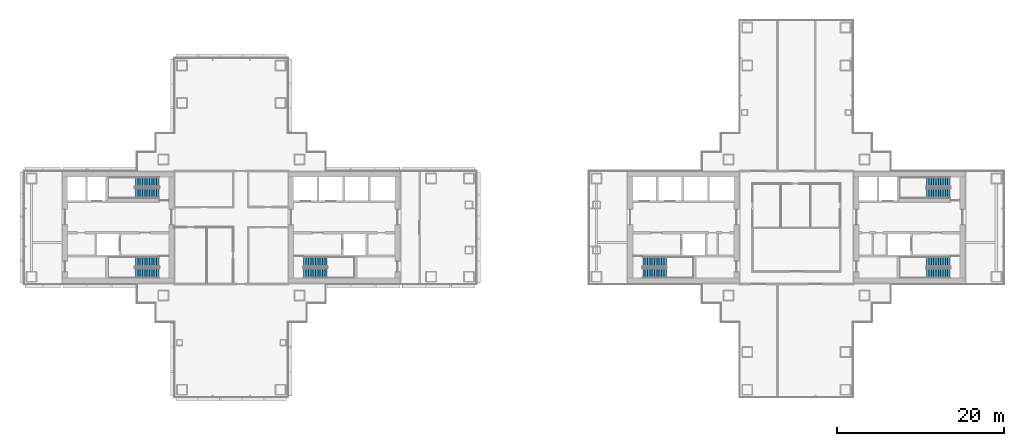
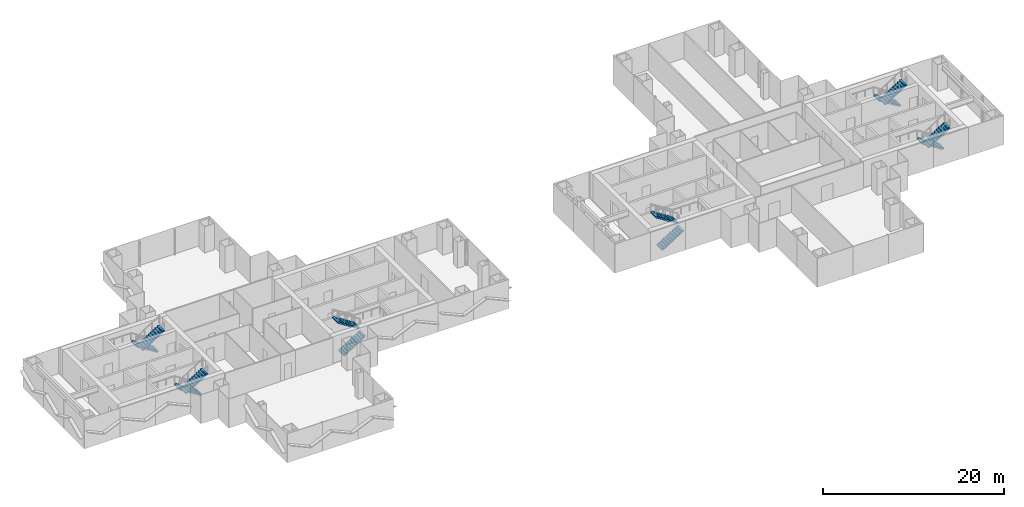
# One storey, part 15 of 18: 12 stair flights, 6 elements without a shape of their own.
"""IFC4 building model written with IfcOpenShell, lengths in metres."""

from ifc_helpers import new_model, si_unit, direction, frame, origin, place, context, subcontext, project, spatial, polyline, outline, extrude, material, type_object, element, aggregate, save


model = new_model("IFC4")

# Units and contexts
model_context = context("Model", 3, precision=1e-05, world=origin(), true_north=direction((0.0, 1.0)))
body_context = subcontext(model_context, "Body", "Model", "MODEL_VIEW")
ifc_project = project(units=[si_unit("LENGTHUNIT", "METRE"), si_unit("AREAUNIT", "SQUARE_METRE"), si_unit("VOLUMEUNIT", "CUBIC_METRE"), si_unit("PLANEANGLEUNIT", "RADIAN"), si_unit("MASSUNIT", "GRAM", prefix="KILO")], contexts=[model_context])

# Site, building, storey
site_placement = place(None, origin())
site = spatial("IfcSite", under=ifc_project, at=site_placement, CompositionType="ELEMENT")
building_placement = place(site_placement, origin())
building = spatial("IfcBuilding", under=site, at=building_placement, Name="Shamsa Quay Exchange Towers", CompositionType="ELEMENT")
storey_placement = place(building_placement, frame((0.0, 0.0, 117.0)))
storey = spatial("IfcBuildingStorey", under=building, at=storey_placement, Name="L27", CompositionType="ELEMENT", Elevation=117.0)

# Stair, stair flights
ifc_material = material(Name="Concrete C40/50", Category="concrete")
stair_type = type_object("IfcStairType", Name="EXIT STAIR 22 RISERS 177 MM", PredefinedType="HALF_TURN_STAIR", material=ifc_material)
stair_1_placement = place(storey_placement, origin())
stair_1 = element("IfcStair", 1, at=stair_1_placement, inside=storey, type_object=stair_type, Name="L27 Exit stair ST1", PredefinedType="HALF_TURN_STAIR")
stair_flight_type = type_object("IfcStairFlightType", Name="EXIT STAIR FLIGHT 11 RISERS 177 MM", PredefinedType="STRAIGHT", material=ifc_material)
stair_flight_1_placement = place(storey_placement, frame((-25.10009765625, -5.449951171875, 0.0)))
stair_flight_1 = element("IfcStairFlight", 2, at=stair_flight_1_placement, type_object=stair_flight_type, Name="ST1 flight 1", NumberOfRisers=11, NumberOfTreads=10, PredefinedType="STRAIGHT", RiserHeight=0.177272727, TreadLength=0.28, context=body_context, shape_type="SweptSolid", body=[
    extrude(outline(polyline([(0.0, 0.0), (0.0, 0.17724609375), (0.280029296875, 0.17724609375), (0.280029296875, 0.3544921875), (0.56005859375, 0.3544921875), (0.56005859375, 0.53173828125), (0.840087890625, 0.53173828125), (0.840087890625, 0.708984375), (1.1201171875, 0.708984375), (1.1201171875, 0.886474609375), (1.39990234375, 0.886474609375), (1.39990234375, 1.063720703125), (1.679931640625, 1.063720703125), (1.679931640625, 1.240966796875), (1.9599609375, 1.240966796875), (1.9599609375, 1.418212890625), (2.239990234375, 1.418212890625), (2.239990234375, 1.595458984375), (2.52001953125, 1.595458984375), (2.52001953125, 1.772705078125), (2.800048828125, 1.772705078125), (2.800048828125, 1.949951171875), (2.800048828125, 1.607177734375), (0.261474609375, 0.0), (0.0, 0.0)])), frame((0.0, 0.60009765625, 0.0), z_axis=(0.0, -1.0, 0.0), x_axis=(1.0, 0.0, 0.0)), (0.0, 0.0, 1.0), 1.199951171875),
])
stair_flight_2_placement = place(storey_placement, frame((-22.300048828125, -4.10009765625, 1.949951171875), z_axis=(0.0, 0.0, 1.0), x_axis=(-1.0, 0.0, 0.0)))
stair_flight_2 = element("IfcStairFlight", 3, at=stair_flight_2_placement, type_object=stair_flight_type, Name="ST1 flight 2", NumberOfRisers=11, NumberOfTreads=10, PredefinedType="STRAIGHT", RiserHeight=0.177272727, TreadLength=0.28, context=body_context, shape_type="SweptSolid", body=[
    extrude(outline(polyline([(0.0, 0.0), (0.0, 0.17724609375), (0.280029296875, 0.17724609375), (0.280029296875, 0.3544921875), (0.56005859375, 0.3544921875), (0.56005859375, 0.53173828125), (0.840087890625, 0.53173828125), (0.840087890625, 0.708984375), (1.1201171875, 0.708984375), (1.1201171875, 0.886474609375), (1.39990234375, 0.886474609375), (1.39990234375, 1.063720703125), (1.679931640625, 1.063720703125), (1.679931640625, 1.240966796875), (1.9599609375, 1.240966796875), (1.9599609375, 1.418212890625), (2.239990234375, 1.418212890625), (2.239990234375, 1.595458984375), (2.52001953125, 1.595458984375), (2.52001953125, 1.772705078125), (2.800048828125, 1.772705078125), (2.800048828125, 1.949951171875), (2.800048828125, 1.607177734375), (0.261474609375, 0.0), (0.0, 0.0)])), frame((0.0, 0.60009765625, 0.0), z_axis=(0.0, -1.0, 0.0), x_axis=(1.0, 0.0, 0.0)), (0.0, 0.0, 1.0), 1.199951171875),
])
aggregate(stair_1, [stair_flight_1, stair_flight_2])

stair_2_placement = place(storey_placement, origin())
stair_2 = element("IfcStair", 4, at=stair_2_placement, inside=storey, type_object=stair_type, Name="L27 Exit stair ST2", PredefinedType="HALF_TURN_STAIR")
stair_flight_3_placement = place(storey_placement, frame((-42.39990234375, -4.10009765625, 0.0), z_axis=(0.0, 0.0, 1.0), x_axis=(-1.0, 0.0, 0.0)))
stair_flight_3 = element("IfcStairFlight", 5, at=stair_flight_3_placement, type_object=stair_flight_type, Name="ST2 flight 1", NumberOfRisers=11, NumberOfTreads=10, PredefinedType="STRAIGHT", RiserHeight=0.177272727, TreadLength=0.28, context=body_context, shape_type="SweptSolid", body=[
    extrude(outline(polyline([(0.0, 0.0), (0.0, 0.17724609375), (0.280029296875, 0.17724609375), (0.280029296875, 0.3544921875), (0.56005859375, 0.3544921875), (0.56005859375, 0.53173828125), (0.840087890625, 0.53173828125), (0.840087890625, 0.708984375), (1.1201171875, 0.708984375), (1.1201171875, 0.886474609375), (1.39990234375, 0.886474609375), (1.39990234375, 1.063720703125), (1.679931640625, 1.063720703125), (1.679931640625, 1.240966796875), (1.9599609375, 1.240966796875), (1.9599609375, 1.418212890625), (2.239990234375, 1.418212890625), (2.239990234375, 1.595458984375), (2.52001953125, 1.595458984375), (2.52001953125, 1.772705078125), (2.800048828125, 1.772705078125), (2.800048828125, 1.949951171875), (2.800048828125, 1.607177734375), (0.261474609375, 0.0), (0.0, 0.0)])), frame((0.0, 0.60009765625, 0.0), z_axis=(0.0, -1.0, 0.0), x_axis=(1.0, 0.0, 0.0)), (0.0, 0.0, 1.0), 1.199951171875),
])
stair_flight_4_placement = place(storey_placement, frame((-45.199951171875, -5.449951171875, 1.949951171875)))
stair_flight_4 = element("IfcStairFlight", 6, at=stair_flight_4_placement, type_object=stair_flight_type, Name="ST2 flight 2", NumberOfRisers=11, NumberOfTreads=10, PredefinedType="STRAIGHT", RiserHeight=0.177272727, TreadLength=0.28, context=body_context, shape_type="SweptSolid", body=[
    extrude(outline(polyline([(0.0, 0.0), (0.0, 0.17724609375), (0.280029296875, 0.17724609375), (0.280029296875, 0.3544921875), (0.56005859375, 0.3544921875), (0.56005859375, 0.53173828125), (0.840087890625, 0.53173828125), (0.840087890625, 0.708984375), (1.1201171875, 0.708984375), (1.1201171875, 0.886474609375), (1.39990234375, 0.886474609375), (1.39990234375, 1.063720703125), (1.679931640625, 1.063720703125), (1.679931640625, 1.240966796875), (1.9599609375, 1.240966796875), (1.9599609375, 1.418212890625), (2.239990234375, 1.418212890625), (2.239990234375, 1.595458984375), (2.52001953125, 1.595458984375), (2.52001953125, 1.772705078125), (2.800048828125, 1.772705078125), (2.800048828125, 1.949951171875), (2.800048828125, 1.607177734375), (0.261474609375, 0.0), (0.0, 0.0)])), frame((0.0, 0.60009765625, 0.0), z_axis=(0.0, -1.0, 0.0), x_axis=(1.0, 0.0, 0.0)), (0.0, 0.0, 1.0), 1.199951171875),
])
aggregate(stair_2, [stair_flight_3, stair_flight_4])

stair_3_placement = place(storey_placement, origin())
stair_3 = element("IfcStair", 7, at=stair_3_placement, inside=storey, type_object=stair_type, Name="L27 Exit stair ST3", PredefinedType="HALF_TURN_STAIR")
stair_flight_5_placement = place(storey_placement, frame((-42.39990234375, 5.449951171875, 0.0), z_axis=(0.0, 0.0, 1.0), x_axis=(-1.0, 0.0, 0.0)))
stair_flight_5 = element("IfcStairFlight", 8, at=stair_flight_5_placement, type_object=stair_flight_type, Name="ST3 flight 1", NumberOfRisers=11, NumberOfTreads=10, PredefinedType="STRAIGHT", RiserHeight=0.177272727, TreadLength=0.28, context=body_context, shape_type="SweptSolid", body=[
    extrude(outline(polyline([(0.0, 0.0), (0.0, 0.17724609375), (0.280029296875, 0.17724609375), (0.280029296875, 0.3544921875), (0.56005859375, 0.3544921875), (0.56005859375, 0.53173828125), (0.840087890625, 0.53173828125), (0.840087890625, 0.708984375), (1.1201171875, 0.708984375), (1.1201171875, 0.886474609375), (1.39990234375, 0.886474609375), (1.39990234375, 1.063720703125), (1.679931640625, 1.063720703125), (1.679931640625, 1.240966796875), (1.9599609375, 1.240966796875), (1.9599609375, 1.418212890625), (2.239990234375, 1.418212890625), (2.239990234375, 1.595458984375), (2.52001953125, 1.595458984375), (2.52001953125, 1.772705078125), (2.800048828125, 1.772705078125), (2.800048828125, 1.949951171875), (2.800048828125, 1.607177734375), (0.261474609375, 0.0), (0.0, 0.0)])), frame((0.0, 0.60009765625, 0.0), z_axis=(0.0, -1.0, 0.0), x_axis=(1.0, 0.0, 0.0)), (0.0, 0.0, 1.0), 1.199951171875),
])
stair_flight_6_placement = place(storey_placement, frame((-45.199951171875, 4.10009765625, 1.949951171875)))
stair_flight_6 = element("IfcStairFlight", 9, at=stair_flight_6_placement, type_object=stair_flight_type, Name="ST3 flight 2", NumberOfRisers=11, NumberOfTreads=10, PredefinedType="STRAIGHT", RiserHeight=0.177272727, TreadLength=0.28, context=body_context, shape_type="SweptSolid", body=[
    extrude(outline(polyline([(0.0, 0.0), (0.0, 0.17724609375), (0.280029296875, 0.17724609375), (0.280029296875, 0.3544921875), (0.56005859375, 0.3544921875), (0.56005859375, 0.53173828125), (0.840087890625, 0.53173828125), (0.840087890625, 0.708984375), (1.1201171875, 0.708984375), (1.1201171875, 0.886474609375), (1.39990234375, 0.886474609375), (1.39990234375, 1.063720703125), (1.679931640625, 1.063720703125), (1.679931640625, 1.240966796875), (1.9599609375, 1.240966796875), (1.9599609375, 1.418212890625), (2.239990234375, 1.418212890625), (2.239990234375, 1.595458984375), (2.52001953125, 1.595458984375), (2.52001953125, 1.772705078125), (2.800048828125, 1.772705078125), (2.800048828125, 1.949951171875), (2.800048828125, 1.607177734375), (0.261474609375, 0.0), (0.0, 0.0)])), frame((0.0, 0.60009765625, 0.0), z_axis=(0.0, -1.0, 0.0), x_axis=(1.0, 0.0, 0.0)), (0.0, 0.0, 1.0), 1.199951171875),
])
aggregate(stair_3, [stair_flight_5, stair_flight_6])

stair_4_placement = place(storey_placement, origin())
stair_4 = element("IfcStair", 10, at=stair_4_placement, inside=storey, type_object=stair_type, Name="L27 Exit stair ST4", PredefinedType="HALF_TURN_STAIR")
stair_flight_7_placement = place(storey_placement, frame((15.39990234375, -5.449951171875, 0.0)))
stair_flight_7 = element("IfcStairFlight", 11, at=stair_flight_7_placement, type_object=stair_flight_type, Name="ST4 flight 1", NumberOfRisers=11, NumberOfTreads=10, PredefinedType="STRAIGHT", RiserHeight=0.177272727, TreadLength=0.28, context=body_context, shape_type="SweptSolid", body=[
    extrude(outline(polyline([(0.0, 0.0), (0.0, 0.17724609375), (0.280029296875, 0.17724609375), (0.280029296875, 0.3544921875), (0.56005859375, 0.3544921875), (0.56005859375, 0.53173828125), (0.840087890625, 0.53173828125), (0.840087890625, 0.708984375), (1.1201171875, 0.708984375), (1.1201171875, 0.886474609375), (1.39990234375, 0.886474609375), (1.39990234375, 1.063720703125), (1.679931640625, 1.063720703125), (1.679931640625, 1.240966796875), (1.9599609375, 1.240966796875), (1.9599609375, 1.418212890625), (2.239990234375, 1.418212890625), (2.239990234375, 1.595458984375), (2.52001953125, 1.595458984375), (2.52001953125, 1.772705078125), (2.800048828125, 1.772705078125), (2.800048828125, 1.949951171875), (2.800048828125, 1.607177734375), (0.261474609375, 0.0), (0.0, 0.0)])), frame((0.0, 0.60009765625, 0.0), z_axis=(0.0, -1.0, 0.0), x_axis=(1.0, 0.0, 0.0)), (0.0, 0.0, 1.0), 1.199951171875),
])
stair_flight_8_placement = place(storey_placement, frame((18.199951171875, -4.10009765625, 1.949951171875), z_axis=(0.0, 0.0, 1.0), x_axis=(-1.0, 0.0, 0.0)))
stair_flight_8 = element("IfcStairFlight", 12, at=stair_flight_8_placement, type_object=stair_flight_type, Name="ST4 flight 2", NumberOfRisers=11, NumberOfTreads=10, PredefinedType="STRAIGHT", RiserHeight=0.177272727, TreadLength=0.28, context=body_context, shape_type="SweptSolid", body=[
    extrude(outline(polyline([(0.0, 0.0), (0.0, 0.17724609375), (0.280029296875, 0.17724609375), (0.280029296875, 0.3544921875), (0.56005859375, 0.3544921875), (0.56005859375, 0.53173828125), (0.840087890625, 0.53173828125), (0.840087890625, 0.708984375), (1.1201171875, 0.708984375), (1.1201171875, 0.886474609375), (1.39990234375, 0.886474609375), (1.39990234375, 1.063720703125), (1.679931640625, 1.063720703125), (1.679931640625, 1.240966796875), (1.9599609375, 1.240966796875), (1.9599609375, 1.418212890625), (2.239990234375, 1.418212890625), (2.239990234375, 1.595458984375), (2.52001953125, 1.595458984375), (2.52001953125, 1.772705078125), (2.800048828125, 1.772705078125), (2.800048828125, 1.949951171875), (2.800048828125, 1.607177734375), (0.261474609375, 0.0), (0.0, 0.0)])), frame((0.0, 0.60009765625, 0.0), z_axis=(0.0, -1.0, 0.0), x_axis=(1.0, 0.0, 0.0)), (0.0, 0.0, 1.0), 1.199951171875),
])
aggregate(stair_4, [stair_flight_7, stair_flight_8])

stair_5_placement = place(storey_placement, origin())
stair_5 = element("IfcStair", 13, at=stair_5_placement, inside=storey, type_object=stair_type, Name="L27 Exit stair ST5", PredefinedType="HALF_TURN_STAIR")
stair_flight_9_placement = place(storey_placement, frame((52.10009765625, -4.10009765625, 0.0), z_axis=(0.0, 0.0, 1.0), x_axis=(-1.0, 0.0, 0.0)))
stair_flight_9 = element("IfcStairFlight", 14, at=stair_flight_9_placement, type_object=stair_flight_type, Name="ST5 flight 1", NumberOfRisers=11, NumberOfTreads=10, PredefinedType="STRAIGHT", RiserHeight=0.177272727, TreadLength=0.28, context=body_context, shape_type="SweptSolid", body=[
    extrude(outline(polyline([(0.0, 0.0), (0.0, 0.17724609375), (0.280029296875, 0.17724609375), (0.280029296875, 0.3544921875), (0.56005859375, 0.3544921875), (0.56005859375, 0.53173828125), (0.840087890625, 0.53173828125), (0.840087890625, 0.708984375), (1.1201171875, 0.708984375), (1.1201171875, 0.886474609375), (1.39990234375, 0.886474609375), (1.39990234375, 1.063720703125), (1.679931640625, 1.063720703125), (1.679931640625, 1.240966796875), (1.9599609375, 1.240966796875), (1.9599609375, 1.418212890625), (2.239990234375, 1.418212890625), (2.239990234375, 1.595458984375), (2.52001953125, 1.595458984375), (2.52001953125, 1.772705078125), (2.800048828125, 1.772705078125), (2.800048828125, 1.949951171875), (2.800048828125, 1.607177734375), (0.261474609375, 0.0), (0.0, 0.0)])), frame((0.0, 0.60009765625, 0.0), z_axis=(0.0, -1.0, 0.0), x_axis=(1.0, 0.0, 0.0)), (0.0, 0.0, 1.0), 1.199951171875),
])
stair_flight_10_placement = place(storey_placement, frame((49.300048828125, -5.449951171875, 1.949951171875)))
stair_flight_10 = element("IfcStairFlight", 15, at=stair_flight_10_placement, type_object=stair_flight_type, Name="ST5 flight 2", NumberOfRisers=11, NumberOfTreads=10, PredefinedType="STRAIGHT", RiserHeight=0.177272727, TreadLength=0.28, context=body_context, shape_type="SweptSolid", body=[
    extrude(outline(polyline([(0.0, 0.0), (0.0, 0.17724609375), (0.280029296875, 0.17724609375), (0.280029296875, 0.3544921875), (0.56005859375, 0.3544921875), (0.56005859375, 0.53173828125), (0.840087890625, 0.53173828125), (0.840087890625, 0.708984375), (1.1201171875, 0.708984375), (1.1201171875, 0.886474609375), (1.39990234375, 0.886474609375), (1.39990234375, 1.063720703125), (1.679931640625, 1.063720703125), (1.679931640625, 1.240966796875), (1.9599609375, 1.240966796875), (1.9599609375, 1.418212890625), (2.239990234375, 1.418212890625), (2.239990234375, 1.595458984375), (2.52001953125, 1.595458984375), (2.52001953125, 1.772705078125), (2.800048828125, 1.772705078125), (2.800048828125, 1.949951171875), (2.800048828125, 1.607177734375), (0.261474609375, 0.0), (0.0, 0.0)])), frame((0.0, 0.60009765625, 0.0), z_axis=(0.0, -1.0, 0.0), x_axis=(1.0, 0.0, 0.0)), (0.0, 0.0, 1.0), 1.199951171875),
])
aggregate(stair_5, [stair_flight_9, stair_flight_10])

stair_6_placement = place(storey_placement, origin())
stair_6 = element("IfcStair", 16, at=stair_6_placement, inside=storey, type_object=stair_type, Name="L27 Exit stair ST6", PredefinedType="HALF_TURN_STAIR")
stair_flight_11_placement = place(storey_placement, frame((52.10009765625, 5.449951171875, 0.0), z_axis=(0.0, 0.0, 1.0), x_axis=(-1.0, 0.0, 0.0)))
stair_flight_11 = element("IfcStairFlight", 17, at=stair_flight_11_placement, type_object=stair_flight_type, Name="ST6 flight 1", NumberOfRisers=11, NumberOfTreads=10, PredefinedType="STRAIGHT", RiserHeight=0.177272727, TreadLength=0.28, context=body_context, shape_type="SweptSolid", body=[
    extrude(outline(polyline([(0.0, 0.0), (0.0, 0.17724609375), (0.280029296875, 0.17724609375), (0.280029296875, 0.3544921875), (0.56005859375, 0.3544921875), (0.56005859375, 0.53173828125), (0.840087890625, 0.53173828125), (0.840087890625, 0.708984375), (1.1201171875, 0.708984375), (1.1201171875, 0.886474609375), (1.39990234375, 0.886474609375), (1.39990234375, 1.063720703125), (1.679931640625, 1.063720703125), (1.679931640625, 1.240966796875), (1.9599609375, 1.240966796875), (1.9599609375, 1.418212890625), (2.239990234375, 1.418212890625), (2.239990234375, 1.595458984375), (2.52001953125, 1.595458984375), (2.52001953125, 1.772705078125), (2.800048828125, 1.772705078125), (2.800048828125, 1.949951171875), (2.800048828125, 1.607177734375), (0.261474609375, 0.0), (0.0, 0.0)])), frame((0.0, 0.60009765625, 0.0), z_axis=(0.0, -1.0, 0.0), x_axis=(1.0, 0.0, 0.0)), (0.0, 0.0, 1.0), 1.199951171875),
])
stair_flight_12_placement = place(storey_placement, frame((49.300048828125, 4.10009765625, 1.949951171875)))
stair_flight_12 = element("IfcStairFlight", 18, at=stair_flight_12_placement, type_object=stair_flight_type, Name="ST6 flight 2", NumberOfRisers=11, NumberOfTreads=10, PredefinedType="STRAIGHT", RiserHeight=0.177272727, TreadLength=0.28, context=body_context, shape_type="SweptSolid", body=[
    extrude(outline(polyline([(0.0, 0.0), (0.0, 0.17724609375), (0.280029296875, 0.17724609375), (0.280029296875, 0.3544921875), (0.56005859375, 0.3544921875), (0.56005859375, 0.53173828125), (0.840087890625, 0.53173828125), (0.840087890625, 0.708984375), (1.1201171875, 0.708984375), (1.1201171875, 0.886474609375), (1.39990234375, 0.886474609375), (1.39990234375, 1.063720703125), (1.679931640625, 1.063720703125), (1.679931640625, 1.240966796875), (1.9599609375, 1.240966796875), (1.9599609375, 1.418212890625), (2.239990234375, 1.418212890625), (2.239990234375, 1.595458984375), (2.52001953125, 1.595458984375), (2.52001953125, 1.772705078125), (2.800048828125, 1.772705078125), (2.800048828125, 1.949951171875), (2.800048828125, 1.607177734375), (0.261474609375, 0.0), (0.0, 0.0)])), frame((0.0, 0.60009765625, 0.0), z_axis=(0.0, -1.0, 0.0), x_axis=(1.0, 0.0, 0.0)), (0.0, 0.0, 1.0), 1.199951171875),
])
aggregate(stair_6, [stair_flight_11, stair_flight_12])

save(model, "model.ifc")
